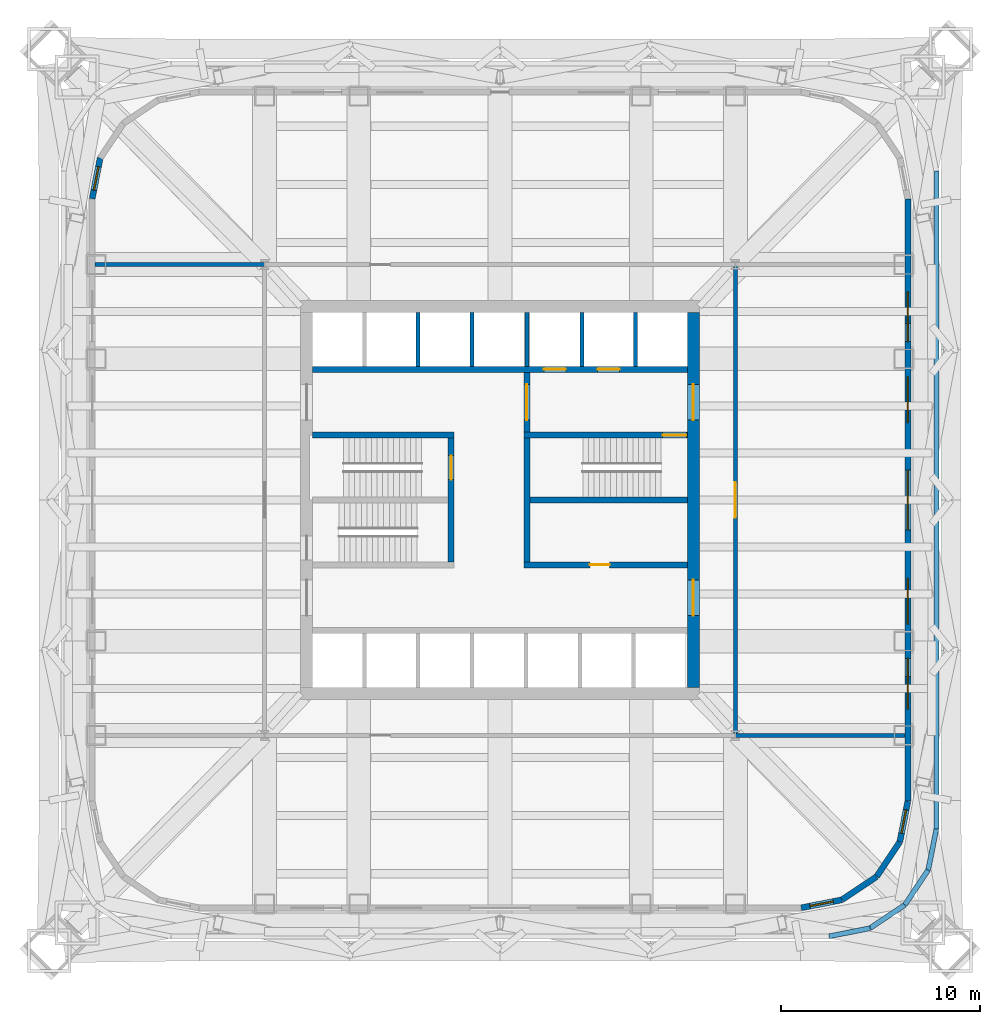
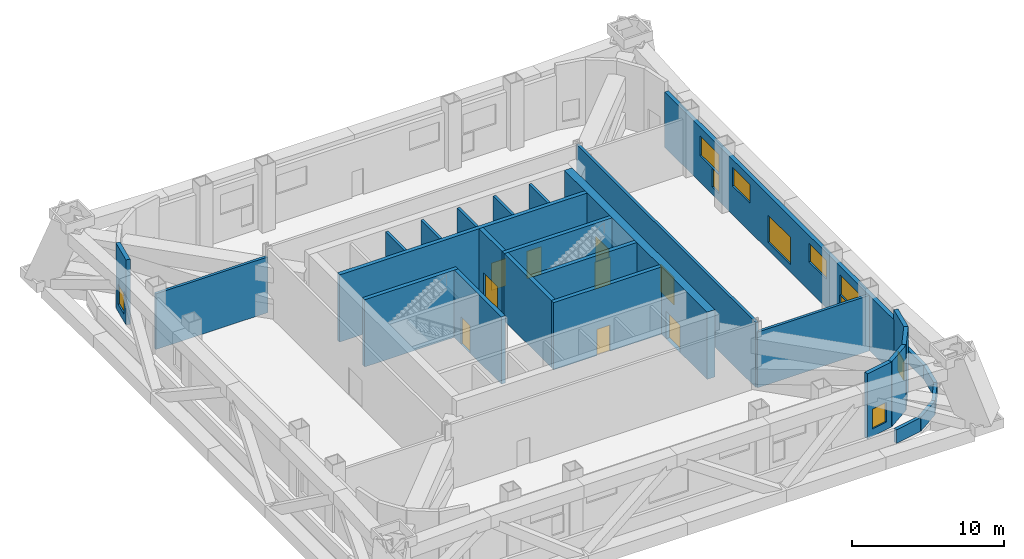
# One storey, part 6 of 9: 27 walls, 10 windows, 9 doors, 19 openings.
"""IFC4 building model written with IfcOpenShell, lengths in metres."""

from ifc_helpers import new_model, si_unit, direction, frame, frame_2d, origin, place, context, subcontext, project, spatial, rectangle, extrude, material, layer, layer_set, type_object, element, fill, save


model = new_model("IFC4")

# Units and contexts
model_context = context("Model", 3, precision=1e-05, world=origin(), true_north=direction((0.0, 1.0)))
body_context = subcontext(model_context, "Body", "Model", "MODEL_VIEW")
ifc_project = project(units=[si_unit("LENGTHUNIT", "METRE"), si_unit("AREAUNIT", "SQUARE_METRE"), si_unit("VOLUMEUNIT", "CUBIC_METRE"), si_unit("PLANEANGLEUNIT", "RADIAN"), si_unit("MASSUNIT", "GRAM", prefix="KILO")], contexts=[model_context])

# Site, building, storey
site_placement = place(None, origin())
site = spatial("IfcSite", under=ifc_project, at=site_placement, CompositionType="ELEMENT")
building_placement = place(site_placement, origin())
building = spatial("IfcBuilding", under=site, at=building_placement, Name="Turquesa Mirador Hotel Tower", CompositionType="ELEMENT")
storey_placement = place(building_placement, frame((0.0, 0.0, 88.0)))
storey = spatial("IfcBuildingStorey", under=building, at=storey_placement, Name="L23", CompositionType="ELEMENT", Elevation=88.0)

# Wall, openings, doors
ifc_material_1 = material(Name="Concrete C50/60", Category="concrete")
ifc_layer_1 = layer(ifc_material_1, 0.300048828125)
ifc_layer_set_1 = layer_set([ifc_layer_1], Name="CORE INNER WALL 300")
wall_type_1 = type_object("IfcWallType", Name="CORE INNER WALL 300", PredefinedType="SHEAR", material=ifc_layer_set_1)
wall_1_placement = place(storey_placement, frame((45.60009765625, 51.550048828125, 0.0), z_axis=(0.0, 0.0, 1.0), x_axis=(1.0, 0.0, 0.0)))
wall_1 = element("IfcWall", 1, at=wall_1_placement, inside=storey, type_object=wall_type_1, Name="Core wall NL", PredefinedType="SHEAR", context=body_context, shape_type="SweptSolid", body=[
    extrude(rectangle(XDim=18.7998046875, YDim=0.300048828125, at=frame_2d((9.39990234375, 0.0))), origin(), (0.0, 0.0, 1.0), 5.39990234375),
])
opening_1_placement = place(wall_1_placement, frame((11.60009765625, 0.0, 0.0)))
opening_1 = element("IfcOpeningElement", 2, at=opening_1_placement, cuts=wall_1, Name="Opening LD", PredefinedType="OPENING", context=body_context, shape_type="SweptSolid", body=[
    extrude(rectangle(XDim=1.10009765625, YDim=2.199951171875, at=frame_2d((0.550048828125, 1.10009765625))), frame((0.0, 0.159912109375, 0.0), z_axis=(0.0, -1.0, 0.0), x_axis=(1.0, 0.0, 0.0)), (0.0, 0.0, 1.0), 0.320068359375),
])
opening_2_placement = place(wall_1_placement, frame((14.300048828125, 0.0, 0.0)))
opening_2 = element("IfcOpeningElement", 3, at=opening_2_placement, cuts=wall_1, Name="Opening LD", PredefinedType="OPENING", context=body_context, shape_type="SweptSolid", body=[
    extrude(rectangle(XDim=1.10009765625, YDim=2.199951171875, at=frame_2d((0.550048828125, 1.10009765625))), frame((0.0, 0.159912109375, 0.0), z_axis=(0.0, -1.0, 0.0), x_axis=(1.0, 0.0, 0.0)), (0.0, 0.0, 1.0), 0.320068359375),
])
ifc_material_2 = material(Name="Stainless steel lift landing door", Category="steel")
door_type_1 = type_object("IfcDoorType", Name="LIFT LANDING DOOR 1100X2200", OperationType="SLIDING_TO_LEFT", PredefinedType="DOOR", material=ifc_material_2)
door_1_placement = place(opening_1_placement, origin())
door_1 = element("IfcDoor", 4, at=door_1_placement, inside=storey, type_object=door_type_1, Name="Lift S1 landing door", OperationType="SLIDING_TO_LEFT", OverallHeight=2.199951171875, OverallWidth=1.10009765625, PredefinedType="DOOR", context=body_context, shape_type="SweptSolid", body=[
    extrude(rectangle(XDim=1.10009765625, YDim=2.199951171875, at=frame_2d((0.550048828125, 1.10009765625))), frame((0.0, 0.02490234375, 0.0), z_axis=(0.0, -1.0, 0.0), x_axis=(1.0, 0.0, 0.0)), (0.0, 0.0, 1.0), 0.050048828125),
])
fill(opening_1, door_1)
door_2_placement = place(opening_2_placement, origin())
door_2 = element("IfcDoor", 5, at=door_2_placement, inside=storey, type_object=door_type_1, Name="Lift S2 landing door", OperationType="SLIDING_TO_LEFT", OverallHeight=2.199951171875, OverallWidth=1.10009765625, PredefinedType="DOOR", context=body_context, shape_type="SweptSolid", body=[
    extrude(rectangle(XDim=1.10009765625, YDim=2.199951171875, at=frame_2d((0.550048828125, 1.10009765625))), frame((0.0, 0.02490234375, 0.0), z_axis=(0.0, -1.0, 0.0), x_axis=(1.0, 0.0, 0.0)), (0.0, 0.0, 1.0), 0.050048828125),
])
fill(opening_2, door_2)

# Wall
wall_2_placement = place(storey_placement, frame((45.60009765625, 48.25, 0.0), z_axis=(0.0, 0.0, 1.0), x_axis=(1.0, 0.0, 0.0)))
element("IfcWall", 6, at=wall_2_placement, inside=storey, type_object=wall_type_1, Name="Core wall MN-W", PredefinedType="SHEAR", context=body_context, shape_type="SweptSolid", body=[
    extrude(rectangle(XDim=7.099853515625, YDim=0.300048828125, at=frame_2d((3.5498046875, 0.0))), origin(), (0.0, 0.0, 1.0), 5.39990234375),
])

# Wall, opening, door
wall_3_placement = place(storey_placement, frame((56.199951171875, 48.25, 0.0), z_axis=(0.0, 0.0, 1.0), x_axis=(1.0, 0.0, 0.0)))
wall_3 = element("IfcWall", 7, at=wall_3_placement, inside=storey, type_object=wall_type_1, Name="Core wall MN-E", PredefinedType="SHEAR", context=body_context, shape_type="SweptSolid", body=[
    extrude(rectangle(XDim=8.199951171875, YDim=0.300048828125, at=frame_2d((4.10009765625, 0.0))), origin(), (0.0, 0.0, 1.0), 5.39990234375),
])
opening_3_placement = place(wall_3_placement, frame((6.949951171875, 0.0, 0.0)))
opening_3 = element("IfcOpeningElement", 8, at=opening_3_placement, cuts=wall_3, Name="Opening D03", PredefinedType="OPENING", context=body_context, shape_type="SweptSolid", body=[
    extrude(rectangle(XDim=1.199951171875, YDim=2.199951171875, at=frame_2d((0.60009765625, 1.10009765625))), frame((0.0, 0.159912109375, 0.0), z_axis=(0.0, -1.0, 0.0), x_axis=(1.0, 0.0, 0.0)), (0.0, 0.0, 1.0), 0.320068359375),
])
ifc_material_3 = material(Name="Steel fire door", Category="steel")
door_type_2 = type_object("IfcDoorType", Name="DOOR 1200X2200 STAIR", OperationType="SINGLE_SWING_LEFT", PredefinedType="DOOR", material=ifc_material_3)
door_3_placement = place(opening_3_placement, origin())
door_3 = element("IfcDoor", 9, at=door_3_placement, inside=storey, type_object=door_type_2, Name="Stair ST3 door", OperationType="SINGLE_SWING_LEFT", OverallHeight=2.199951171875, OverallWidth=1.199951171875, PredefinedType="DOOR", context=body_context, shape_type="SweptSolid", body=[
    extrude(rectangle(XDim=1.199951171875, YDim=2.199951171875, at=frame_2d((0.60009765625, 1.10009765625))), frame((0.0, 0.02490234375, 0.0), z_axis=(0.0, -1.0, 0.0), x_axis=(1.0, 0.0, 0.0)), (0.0, 0.0, 1.0), 0.050048828125),
])
fill(opening_3, door_3)

wall_4_placement = place(storey_placement, frame((56.199951171875, 41.75, 0.0), z_axis=(0.0, 0.0, 1.0), x_axis=(1.0, 0.0, 0.0)))
wall_4 = element("IfcWall", 10, at=wall_4_placement, inside=storey, type_object=wall_type_1, Name="Core wall MS-E", PredefinedType="SHEAR", context=body_context, shape_type="SweptSolid", body=[
    extrude(rectangle(XDim=8.199951171875, YDim=0.300048828125, at=frame_2d((4.10009765625, 0.0))), origin(), (0.0, 0.0, 1.0), 5.39990234375),
])
opening_4_placement = place(wall_4_placement, frame((3.300048828125, 0.0, 0.0)))
opening_4 = element("IfcOpeningElement", 11, at=opening_4_placement, cuts=wall_4, Name="Opening D05", PredefinedType="OPENING", context=body_context, shape_type="SweptSolid", body=[
    extrude(rectangle(XDim=1.0, YDim=2.10009765625, at=frame_2d((0.5, 1.050048828125))), frame((0.0, 0.159912109375, 0.0), z_axis=(0.0, -1.0, 0.0), x_axis=(1.0, 0.0, 0.0)), (0.0, 0.0, 1.0), 0.320068359375),
])
ifc_material_4 = material(Name="Steel fire door", Category="steel")
door_type_3 = type_object("IfcDoorType", Name="DOOR 1000X2100 SERVICE", OperationType="SINGLE_SWING_LEFT", PredefinedType="DOOR", material=ifc_material_4)
door_4_placement = place(opening_4_placement, origin())
door_4 = element("IfcDoor", 12, at=door_4_placement, inside=storey, type_object=door_type_3, Name="Housekeeping room door", OperationType="SINGLE_SWING_LEFT", OverallHeight=2.10009765625, OverallWidth=1.0, PredefinedType="DOOR", context=body_context, shape_type="SweptSolid", body=[
    extrude(rectangle(XDim=1.0, YDim=2.10009765625, at=frame_2d((0.5, 1.050048828125))), frame((0.0, 0.02490234375, 0.0), z_axis=(0.0, -1.0, 0.0), x_axis=(1.0, 0.0, 0.0)), (0.0, 0.0, 1.0), 0.050048828125),
])
fill(opening_4, door_4)

wall_5_placement = place(storey_placement, frame((52.550048828125, 41.89990234375, 0.0), z_axis=(0.0, 0.0, 1.0), x_axis=(0.0, 1.0, 0.0)))
wall_5 = element("IfcWall", 13, at=wall_5_placement, inside=storey, type_object=wall_type_1, Name="Core wall PW", PredefinedType="SHEAR", context=body_context, shape_type="SweptSolid", body=[
    extrude(rectangle(XDim=6.2001953125, YDim=0.300048828125, at=frame_2d((3.10009765625, 0.0))), origin(), (0.0, 0.0, 1.0), 5.39990234375),
])
opening_5_placement = place(wall_5_placement, frame((4.125, 0.0, 0.0)))
opening_5 = element("IfcOpeningElement", 14, at=opening_5_placement, cuts=wall_5, Name="Opening D03", PredefinedType="OPENING", context=body_context, shape_type="SweptSolid", body=[
    extrude(rectangle(XDim=1.199951171875, YDim=2.199951171875, at=frame_2d((0.60009765625, 1.10009765625))), frame((0.0, 0.159912109375, 0.0), z_axis=(0.0, -1.0, 0.0), x_axis=(1.0, 0.0, 0.0)), (0.0, 0.0, 1.0), 0.320068359375),
])
door_5_placement = place(opening_5_placement, origin())
door_5 = element("IfcDoor", 15, at=door_5_placement, inside=storey, type_object=door_type_2, Name="Stair ST1 door", OperationType="SINGLE_SWING_LEFT", OverallHeight=2.199951171875, OverallWidth=1.199951171875, PredefinedType="DOOR", context=body_context, shape_type="SweptSolid", body=[
    extrude(rectangle(XDim=1.199951171875, YDim=2.199951171875, at=frame_2d((0.60009765625, 1.10009765625))), frame((0.0, 0.02490234375, 0.0), z_axis=(0.0, -1.0, 0.0), x_axis=(1.0, 0.0, 0.0)), (0.0, 0.0, 1.0), 0.050048828125),
])
fill(opening_5, door_5)

wall_6_placement = place(storey_placement, frame((56.35009765625, 41.89990234375, 0.0), z_axis=(0.0, 0.0, 1.0), x_axis=(0.0, 1.0, 0.0)))
wall_6 = element("IfcWall", 16, at=wall_6_placement, inside=storey, type_object=wall_type_1, Name="Core wall PE", PredefinedType="SHEAR", context=body_context, shape_type="SweptSolid", body=[
    extrude(rectangle(XDim=9.5, YDim=0.300048828125, at=frame_2d((4.75, 0.0))), origin(), (0.0, 0.0, 1.0), 5.39990234375),
])
opening_6_placement = place(wall_6_placement, frame((7.10009765625, 0.0, 0.0)))
opening_6 = element("IfcOpeningElement", 17, at=opening_6_placement, cuts=wall_6, Name="Opening D04", PredefinedType="OPENING", context=body_context, shape_type="SweptSolid", body=[
    extrude(rectangle(XDim=1.800048828125, YDim=2.199951171875, at=frame_2d((0.89990234375, 1.10009765625))), frame((0.0, 0.159912109375, 0.0), z_axis=(0.0, -1.0, 0.0), x_axis=(1.0, 0.0, 0.0)), (0.0, 0.0, 1.0), 0.320068359375),
])
ifc_material_5 = material(Name="Steel fire door pair", Category="steel")
door_type_4 = type_object("IfcDoorType", Name="DOOR 1800X2200 PAIR", OperationType="DOUBLE_DOOR_SINGLE_SWING", PredefinedType="DOOR", material=ifc_material_5)
door_6_placement = place(opening_6_placement, origin())
door_6 = element("IfcDoor", 18, at=door_6_placement, inside=storey, type_object=door_type_4, Name="Firefighting lobby inner door", OperationType="DOUBLE_DOOR_SINGLE_SWING", OverallHeight=2.199951171875, OverallWidth=1.800048828125, PredefinedType="DOOR", context=body_context, shape_type="SweptSolid", body=[
    extrude(rectangle(XDim=1.800048828125, YDim=2.199951171875, at=frame_2d((0.89990234375, 1.10009765625))), frame((0.0, 0.02490234375, 0.0), z_axis=(0.0, -1.0, 0.0), x_axis=(1.0, 0.0, 0.0)), (0.0, 0.0, 1.0), 0.050048828125),
])
fill(opening_6, door_6)

# Wall
wall_7_placement = place(storey_placement, frame((56.5, 45.0, 0.0), z_axis=(0.0, 0.0, 1.0), x_axis=(1.0, 0.0, 0.0)))
element("IfcWall", 19, at=wall_7_placement, inside=storey, type_object=wall_type_1, Name="Core wall M0-E", PredefinedType="SHEAR", context=body_context, shape_type="SweptSolid", body=[
    extrude(rectangle(XDim=7.89990234375, YDim=0.300048828125, at=frame_2d((3.949951171875, 0.0))), origin(), (0.0, 0.0, 1.0), 5.39990234375),
])

# Wall, openings, doors
ifc_material_6 = material(Name="Concrete C50/60", Category="concrete")
ifc_layer_2 = layer(ifc_material_6, 0.60009765625)
ifc_layer_set_2 = layer_set([ifc_layer_2], Name="CORE WALL 600")
wall_type_2 = type_object("IfcWallType", Name="CORE WALL 600", PredefinedType="SHEAR", material=ifc_layer_set_2)
wall_8_placement = place(storey_placement, frame((64.699951171875, 35.60009765625, 0.0), z_axis=(0.0, 0.0, 1.0), x_axis=(0.0, 1.0, 0.0)))
wall_8 = element("IfcWall", 20, at=wall_8_placement, inside=storey, type_object=wall_type_2, Name="Core wall E", PredefinedType="SHEAR", context=body_context, shape_type="SweptSolid", body=[
    extrude(rectangle(XDim=18.7998046875, YDim=0.60009765625, at=frame_2d((9.39990234375, 0.0))), origin(), (0.0, 0.0, 1.0), 5.39990234375),
])
opening_7_placement = place(wall_8_placement, frame((13.39990234375, 0.0, 0.0)))
opening_7 = element("IfcOpeningElement", 21, at=opening_7_placement, cuts=wall_8, Name="Opening D04", PredefinedType="OPENING", context=body_context, shape_type="SweptSolid", body=[
    extrude(rectangle(XDim=1.800048828125, YDim=2.199951171875, at=frame_2d((0.89990234375, 1.10009765625))), frame((0.0, 0.31005859375, 0.0), z_axis=(0.0, -1.0, 0.0), x_axis=(1.0, 0.0, 0.0)), (0.0, 0.0, 1.0), 0.6201171875),
])
opening_8_placement = place(wall_8_placement, frame((3.60009765625, 0.0, 0.0)))
opening_8 = element("IfcOpeningElement", 22, at=opening_8_placement, cuts=wall_8, Name="Opening D04", PredefinedType="OPENING", context=body_context, shape_type="SweptSolid", body=[
    extrude(rectangle(XDim=1.800048828125, YDim=2.199951171875, at=frame_2d((0.89990234375, 1.10009765625))), frame((0.0, 0.31005859375, 0.0), z_axis=(0.0, -1.0, 0.0), x_axis=(1.0, 0.0, 0.0)), (0.0, 0.0, 1.0), 0.6201171875),
])
door_7_placement = place(opening_7_placement, origin())
door_7 = element("IfcDoor", 23, at=door_7_placement, inside=storey, type_object=door_type_4, Name="Firefighting lobby door", OperationType="DOUBLE_DOOR_SINGLE_SWING", OverallHeight=2.199951171875, OverallWidth=1.800048828125, PredefinedType="DOOR", context=body_context, shape_type="SweptSolid", body=[
    extrude(rectangle(XDim=1.800048828125, YDim=2.199951171875, at=frame_2d((0.89990234375, 1.10009765625))), frame((0.0, 0.02490234375, 0.0), z_axis=(0.0, -1.0, 0.0), x_axis=(1.0, 0.0, 0.0)), (0.0, 0.0, 1.0), 0.050048828125),
])
fill(opening_7, door_7)
door_8_placement = place(opening_8_placement, origin())
door_8 = element("IfcDoor", 24, at=door_8_placement, inside=storey, type_object=door_type_4, Name="South lift lobby door", OperationType="DOUBLE_DOOR_SINGLE_SWING", OverallHeight=2.199951171875, OverallWidth=1.800048828125, PredefinedType="DOOR", context=body_context, shape_type="SweptSolid", body=[
    extrude(rectangle(XDim=1.800048828125, YDim=2.199951171875, at=frame_2d((0.89990234375, 1.10009765625))), frame((0.0, 0.02490234375, 0.0), z_axis=(0.0, -1.0, 0.0), x_axis=(1.0, 0.0, 0.0)), (0.0, 0.0, 1.0), 0.050048828125),
])
fill(opening_8, door_8)

# Wall, opening, door
ifc_material_7 = material(Name="Fire-rated gypsum board on steel studs", Category="steel")
ifc_layer_3 = layer(ifc_material_7, 0.199951171875)
ifc_layer_set_3 = layer_set([ifc_layer_3], Name="CORRIDOR WALL 200")
wall_type_3 = type_object("IfcWallType", Name="CORRIDOR WALL 200", PredefinedType="PARTITIONING", material=ifc_layer_set_3)
wall_9_placement = place(storey_placement, frame((66.800048828125, 33.199951171875, 0.0), z_axis=(0.0, 0.0, 1.0), x_axis=(0.0, 1.0, 0.0)))
wall_9 = element("IfcWall", 25, at=wall_9_placement, inside=storey, type_object=wall_type_3, Name="Partition L23 008", PredefinedType="PARTITIONING", context=body_context, shape_type="SweptSolid", body=[
    extrude(rectangle(XDim=23.60009765625, YDim=0.199951171875, at=frame_2d((11.800048828125, 0.0))), origin(), (0.0, 0.0, 1.0), 5.22998046875),
])
opening_9_placement = place(wall_9_placement, frame((10.89990234375, 0.0, 0.0)))
opening_9 = element("IfcOpeningElement", 26, at=opening_9_placement, cuts=wall_9, Name="Opening D04", PredefinedType="OPENING", context=body_context, shape_type="SweptSolid", body=[
    extrude(rectangle(XDim=1.800048828125, YDim=2.199951171875, at=frame_2d((0.89990234375, 1.10009765625))), frame((0.0, 0.10986328125, 0.0), z_axis=(0.0, -1.0, 0.0), x_axis=(1.0, 0.0, 0.0)), (0.0, 0.0, 1.0), 0.219970703125),
])
door_9_placement = place(opening_9_placement, origin())
door_9 = element("IfcDoor", 27, at=door_9_placement, inside=storey, type_object=door_type_4, Name="Door L23-03", OperationType="DOUBLE_DOOR_SINGLE_SWING", OverallHeight=2.199951171875, OverallWidth=1.800048828125, PredefinedType="DOOR", context=body_context, shape_type="SweptSolid", body=[
    extrude(rectangle(XDim=1.800048828125, YDim=2.199951171875, at=frame_2d((0.89990234375, 1.10009765625))), frame((0.0, 0.02490234375, 0.0), z_axis=(0.0, -1.0, 0.0), x_axis=(1.0, 0.0, 0.0)), (0.0, 0.0, 1.0), 0.050048828125),
])
fill(opening_9, door_9)

# Walls
ifc_material_8 = material(Name="Fire-rated gypsum board on steel studs", Category="steel")
ifc_layer_4 = layer(ifc_material_8, 0.199951171875)
ifc_layer_set_4 = layer_set([ifc_layer_4], Name="FIRE PARTITION 200")
wall_type_4 = type_object("IfcWallType", Name="FIRE PARTITION 200", PredefinedType="PARTITIONING", material=ifc_layer_set_4)
for number, where, z_axis, x_axis, name in (
    (28, (66.800048828125, 33.199951171875, 0.0), (0.0, 0.0, 1.0), (1.0, 0.0, 0.0), "Partition L23 003"),
    (29, (34.699951171875, 56.800048828125, 0.0), (0.0, 0.0, 1.0), (1.0, 0.0, 0.0), "Partition L23 005"),
):
    element("IfcWall", number, at=place(storey_placement, frame(where, z_axis=z_axis, x_axis=x_axis)), inside=storey, type_object=wall_type_4, Name=name, PredefinedType="PARTITIONING", context=body_context, shape_type="SweptSolid", body=[
        extrude(rectangle(XDim=8.5, YDim=0.199951171875, at=frame_2d((4.25, 0.0))), origin(), (0.0, 0.0, 1.0), 4.47314453125),
    ])
ifc_material_9 = material(Name="Fire-rated gypsum shaft wall on steel studs", Category="steel")
ifc_layer_5 = layer(ifc_material_9, 0.199951171875)
ifc_layer_set_5 = layer_set([ifc_layer_5], Name="LIFT SHAFT DIVIDER 200")
wall_type_5 = type_object("IfcWallType", Name="LIFT SHAFT DIVIDER 200", PredefinedType="PARTITIONING", material=ifc_layer_set_5)
for number, where, z_axis, x_axis, name in (
    (30, (50.89990234375, 51.699951171875, 0.0), (0.0, 0.0, 1.0), (0.0, 1.0, 0.0), "Lift shaft divider"),
    (31, (53.60009765625, 51.699951171875, 0.0), (0.0, 0.0, 1.0), (0.0, 1.0, 0.0), "Lift shaft divider"),
    (32, (59.10009765625, 51.699951171875, 0.0), (0.0, 0.0, 1.0), (0.0, 1.0, 0.0), "Lift shaft divider"),
    (33, (61.800048828125, 51.699951171875, 0.0), (0.0, 0.0, 1.0), (0.0, 1.0, 0.0), "Lift shaft divider"),
    (34, (56.35009765625, 51.699951171875, 0.0), (0.0, 0.0, 1.0), (0.0, 1.0, 0.0), "Lift shaft divider"),
):
    element("IfcWall", number, at=place(storey_placement, frame(where, z_axis=z_axis, x_axis=x_axis)), inside=storey, type_object=wall_type_5, Name=name, PredefinedType="PARTITIONING", context=body_context, shape_type="SweptSolid", body=[
        extrude(rectangle(XDim=2.699951171875, YDim=0.199951171875, at=frame_2d((1.35009765625, 0.0))), origin(), (0.0, 0.0, 1.0), 5.22998046875),
    ])

# Wall, opening, window
ifc_material_10 = material(Name="Limestone cladding on concrete block", Category="masonry")
ifc_layer_6 = layer(ifc_material_10, 0.300048828125)
ifc_layer_set_6 = layer_set([ifc_layer_6], Name="LOUVRE WALL 300 STONE")
wall_type_6 = type_object("IfcWallType", Name="LOUVRE WALL 300 STONE", PredefinedType="SOLIDWALL", material=ifc_layer_set_6)
wall_10_placement = place(storey_placement, frame((70.10009765625, 24.550048828125, 0.0), z_axis=(0.0, 0.0, 1.0), x_axis=(0.980787050784, 0.195081421501, 0.0)))
wall_10 = element("IfcWall", 35, at=wall_10_placement, inside=storey, type_object=wall_type_6, Name="Facade wall L23 00", PredefinedType="SOLIDWALL", context=body_context, shape_type="SweptSolid", body=[
    extrude(rectangle(XDim=2.08740234375, YDim=0.300048828125, at=frame_2d((1.043701171875, 0.0))), origin(), (0.0, 0.0, 1.0), 5.22998046875),
])
opening_10_placement = place(wall_10_placement, frame((0.443603515625, 0.0, 0.60009765625)))
opening_10 = element("IfcOpeningElement", 36, at=opening_10_placement, cuts=wall_10, Name="Opening LV7", PredefinedType="OPENING", context=body_context, shape_type="SweptSolid", body=[
    extrude(rectangle(XDim=1.199951171875, YDim=1.60009765625, at=frame_2d((0.60009765625, 0.800048828125))), frame((0.0, 0.159912109375, 0.0), z_axis=(0.0, -1.0, 0.0), x_axis=(1.0, 0.0, 0.0)), (0.0, 0.0, 1.0), 0.320068359375),
])
ifc_material_11 = material(Name="Aluminium extrusion", Category="aluminium")
window_type_1 = type_object("IfcWindowType", Name="PLANT LOUVRE 1200X1600", PartitioningType="SINGLE_PANEL", PredefinedType="USERDEFINED", material=ifc_material_11)
window_1_placement = place(opening_10_placement, origin())
window_1 = element("IfcWindow", 37, at=window_1_placement, inside=storey, type_object=window_type_1, Name="Window L23", ObjectType="LOUVRE", OverallHeight=1.60009765625, OverallWidth=1.199951171875, PartitioningType="SINGLE_PANEL", PredefinedType="USERDEFINED", context=body_context, shape_type="SweptSolid", body=[
    extrude(rectangle(XDim=1.199951171875, YDim=1.60009765625, at=frame_2d((0.60009765625, 0.800048828125))), frame((0.0, 0.030029296875, 0.0), z_axis=(0.0, -1.0, 0.0), x_axis=(1.0, 0.0, 0.0)), (0.0, 0.0, 1.0), 0.06005859375),
])
fill(opening_10, window_1)

# Walls
for number, where, z_axis, x_axis, name in (
    (38, (72.1474609375, 24.957275390625, 0.0), (0.0, 0.0, 1.0), (0.831474039234, 0.555563607591, 0.0), "Facade wall L23 01"),
    (39, (73.883056640625, 26.116943359375, 0.0), (0.0, 0.0, 1.0), (0.555563607591, 0.831474039234, 0.0), "Facade wall L23 02"),
):
    element("IfcWall", number, at=place(storey_placement, frame(where, z_axis=z_axis, x_axis=x_axis)), inside=storey, type_object=wall_type_6, Name=name, PredefinedType="SOLIDWALL", context=body_context, shape_type="SweptSolid", body=[
        extrude(rectangle(XDim=2.08740234375, YDim=0.300048828125, at=frame_2d((1.043701171875, 0.0))), origin(), (0.0, 0.0, 1.0), 5.22998046875),
    ])

# Wall, opening, window
wall_11_placement = place(storey_placement, frame((75.042724609375, 27.8525390625, 0.0), z_axis=(0.0, 0.0, 1.0), x_axis=(0.195081421501, 0.980787050784, 0.0)))
wall_11 = element("IfcWall", 40, at=wall_11_placement, inside=storey, type_object=wall_type_6, Name="Facade wall L23 03", PredefinedType="SOLIDWALL", context=body_context, shape_type="SweptSolid", body=[
    extrude(rectangle(XDim=2.08740234375, YDim=0.300048828125, at=frame_2d((1.043701171875, 0.0))), origin(), (0.0, 0.0, 1.0), 5.22998046875),
])
opening_11_placement = place(wall_11_placement, frame((0.443603515625, 0.0, 0.60009765625)))
opening_11 = element("IfcOpeningElement", 41, at=opening_11_placement, cuts=wall_11, Name="Opening LV7", PredefinedType="OPENING", context=body_context, shape_type="SweptSolid", body=[
    extrude(rectangle(XDim=1.199951171875, YDim=1.60009765625, at=frame_2d((0.60009765625, 0.800048828125))), frame((0.0, 0.159912109375, 0.0), z_axis=(0.0, -1.0, 0.0), x_axis=(1.0, 0.0, 0.0)), (0.0, 0.0, 1.0), 0.320068359375),
])
window_2_placement = place(opening_11_placement, origin())
window_2 = element("IfcWindow", 42, at=window_2_placement, inside=storey, type_object=window_type_1, Name="Window L23", ObjectType="LOUVRE", OverallHeight=1.60009765625, OverallWidth=1.199951171875, PartitioningType="SINGLE_PANEL", PredefinedType="USERDEFINED", context=body_context, shape_type="SweptSolid", body=[
    extrude(rectangle(XDim=1.199951171875, YDim=1.60009765625, at=frame_2d((0.60009765625, 0.800048828125))), frame((0.0, 0.030029296875, 0.0), z_axis=(0.0, -1.0, 0.0), x_axis=(1.0, 0.0, 0.0)), (0.0, 0.0, 1.0), 0.06005859375),
])
fill(opening_11, window_2)

# Wall, openings, windows
wall_12_placement = place(storey_placement, frame((75.449951171875, 29.89990234375, 0.0), z_axis=(0.0, 0.0, 1.0), x_axis=(0.0, 1.0, 0.0)))
wall_12 = element("IfcWall", 43, at=wall_12_placement, inside=storey, type_object=wall_type_6, Name="Facade wall L23 04", PredefinedType="SOLIDWALL", context=body_context, shape_type="SweptSolid", body=[
    extrude(rectangle(XDim=30.2001953125, YDim=0.300048828125, at=frame_2d((15.10009765625, 0.0))), origin(), (0.0, 0.0, 1.0), 4.429931640625),
])
opening_12_placement = place(wall_12_placement, frame((4.610107421875, 0.0, 2.14990234375)))
opening_12 = element("IfcOpeningElement", 44, at=opening_12_placement, cuts=wall_12, Name="Opening LV15", PredefinedType="OPENING", context=body_context, shape_type="SweptSolid", body=[
    extrude(rectangle(XDim=2.5, YDim=1.60009765625, at=frame_2d((1.25, 0.800048828125))), frame((0.0, 0.159912109375, 0.0), z_axis=(0.0, -1.0, 0.0), x_axis=(1.0, 0.0, 0.0)), (0.0, 0.0, 1.0), 0.320068359375),
])
opening_13_placement = place(wall_12_placement, frame((8.8798828125, 0.0, 2.300048828125)))
opening_13 = element("IfcOpeningElement", 45, at=opening_13_placement, cuts=wall_12, Name="Opening LV12", PredefinedType="OPENING", context=body_context, shape_type="SweptSolid", body=[
    extrude(rectangle(XDim=2.300048828125, YDim=1.5, at=frame_2d((1.14990234375, 0.75))), frame((0.0, 0.159912109375, 0.0), z_axis=(0.0, -1.0, 0.0), x_axis=(1.0, 0.0, 0.0)), (0.0, 0.0, 1.0), 0.320068359375),
])
opening_14_placement = place(wall_12_placement, frame((13.60009765625, 0.0, 0.60009765625)))
opening_14 = element("IfcOpeningElement", 46, at=opening_14_placement, cuts=wall_12, Name="Opening LV18", PredefinedType="OPENING", context=body_context, shape_type="SweptSolid", body=[
    extrude(rectangle(XDim=3.0, YDim=2.199951171875, at=frame_2d((1.5, 1.10009765625))), frame((0.0, 0.159912109375, 0.0), z_axis=(0.0, -1.0, 0.0), x_axis=(1.0, 0.0, 0.0)), (0.0, 0.0, 1.0), 0.320068359375),
])
opening_15_placement = place(wall_12_placement, frame((18.969970703125, 0.0, 2.300048828125)))
opening_15 = element("IfcOpeningElement", 47, at=opening_15_placement, cuts=wall_12, Name="Opening LV12", PredefinedType="OPENING", context=body_context, shape_type="SweptSolid", body=[
    extrude(rectangle(XDim=2.300048828125, YDim=1.5, at=frame_2d((1.14990234375, 0.75))), frame((0.0, 0.159912109375, 0.0), z_axis=(0.0, -1.0, 0.0), x_axis=(1.0, 0.0, 0.0)), (0.0, 0.0, 1.0), 0.320068359375),
])
opening_16_placement = place(wall_12_placement, frame((23.0400390625, 0.0, 2.14990234375)))
opening_16 = element("IfcOpeningElement", 48, at=opening_16_placement, cuts=wall_12, Name="Opening LV15", PredefinedType="OPENING", context=body_context, shape_type="SweptSolid", body=[
    extrude(rectangle(XDim=2.5, YDim=1.60009765625, at=frame_2d((1.25, 0.800048828125))), frame((0.0, 0.159912109375, 0.0), z_axis=(0.0, -1.0, 0.0), x_axis=(1.0, 0.0, 0.0)), (0.0, 0.0, 1.0), 0.320068359375),
])
opening_17_placement = place(wall_12_placement, frame((6.260009765625, 0.0, 0.60009765625)))
opening_17 = element("IfcOpeningElement", 49, at=opening_17_placement, cuts=wall_12, Name="Opening LV3", PredefinedType="OPENING", context=body_context, shape_type="SweptSolid", body=[
    extrude(rectangle(XDim=0.89990234375, YDim=1.5, at=frame_2d((0.449951171875, 0.75))), frame((0.0, 0.159912109375, 0.0), z_axis=(0.0, -1.0, 0.0), x_axis=(1.0, 0.0, 0.0)), (0.0, 0.0, 1.0), 0.320068359375),
])
opening_18_placement = place(wall_12_placement, frame((23.0400390625, 0.0, 0.60009765625)))
opening_18 = element("IfcOpeningElement", 50, at=opening_18_placement, cuts=wall_12, Name="Opening LV3", PredefinedType="OPENING", context=body_context, shape_type="SweptSolid", body=[
    extrude(rectangle(XDim=0.89990234375, YDim=1.5, at=frame_2d((0.449951171875, 0.75))), frame((0.0, 0.159912109375, 0.0), z_axis=(0.0, -1.0, 0.0), x_axis=(1.0, 0.0, 0.0)), (0.0, 0.0, 1.0), 0.320068359375),
])
ifc_material_12 = material(Name="Aluminium extrusion", Category="aluminium")
window_type_2 = type_object("IfcWindowType", Name="PLANT LOUVRE 2300X1500", PartitioningType="SINGLE_PANEL", PredefinedType="USERDEFINED", material=ifc_material_12)
window_3_placement = place(opening_13_placement, origin())
window_3 = element("IfcWindow", 51, at=window_3_placement, inside=storey, type_object=window_type_2, Name="Window L23", ObjectType="LOUVRE", OverallHeight=1.5, OverallWidth=2.300048828125, PartitioningType="SINGLE_PANEL", PredefinedType="USERDEFINED", context=body_context, shape_type="SweptSolid", body=[
    extrude(rectangle(XDim=2.300048828125, YDim=1.5, at=frame_2d((1.14990234375, 0.75))), frame((0.0, 0.030029296875, 0.0), z_axis=(0.0, -1.0, 0.0), x_axis=(1.0, 0.0, 0.0)), (0.0, 0.0, 1.0), 0.06005859375),
])
fill(opening_13, window_3)
window_4_placement = place(opening_15_placement, origin())
window_4 = element("IfcWindow", 52, at=window_4_placement, inside=storey, type_object=window_type_2, Name="Window L23", ObjectType="LOUVRE", OverallHeight=1.5, OverallWidth=2.300048828125, PartitioningType="SINGLE_PANEL", PredefinedType="USERDEFINED", context=body_context, shape_type="SweptSolid", body=[
    extrude(rectangle(XDim=2.300048828125, YDim=1.5, at=frame_2d((1.14990234375, 0.75))), frame((0.0, 0.030029296875, 0.0), z_axis=(0.0, -1.0, 0.0), x_axis=(1.0, 0.0, 0.0)), (0.0, 0.0, 1.0), 0.06005859375),
])
fill(opening_15, window_4)
ifc_material_13 = material(Name="Aluminium extrusion", Category="aluminium")
window_type_3 = type_object("IfcWindowType", Name="PLANT LOUVRE 2500X1600", PartitioningType="SINGLE_PANEL", PredefinedType="USERDEFINED", material=ifc_material_13)
window_5_placement = place(opening_12_placement, origin())
window_5 = element("IfcWindow", 53, at=window_5_placement, inside=storey, type_object=window_type_3, Name="Window L23", ObjectType="LOUVRE", OverallHeight=1.60009765625, OverallWidth=2.5, PartitioningType="SINGLE_PANEL", PredefinedType="USERDEFINED", context=body_context, shape_type="SweptSolid", body=[
    extrude(rectangle(XDim=2.5, YDim=1.60009765625, at=frame_2d((1.25, 0.800048828125))), frame((0.0, 0.030029296875, 0.0), z_axis=(0.0, -1.0, 0.0), x_axis=(1.0, 0.0, 0.0)), (0.0, 0.0, 1.0), 0.06005859375),
])
fill(opening_12, window_5)
window_6_placement = place(opening_16_placement, origin())
window_6 = element("IfcWindow", 54, at=window_6_placement, inside=storey, type_object=window_type_3, Name="Window L23", ObjectType="LOUVRE", OverallHeight=1.60009765625, OverallWidth=2.5, PartitioningType="SINGLE_PANEL", PredefinedType="USERDEFINED", context=body_context, shape_type="SweptSolid", body=[
    extrude(rectangle(XDim=2.5, YDim=1.60009765625, at=frame_2d((1.25, 0.800048828125))), frame((0.0, 0.030029296875, 0.0), z_axis=(0.0, -1.0, 0.0), x_axis=(1.0, 0.0, 0.0)), (0.0, 0.0, 1.0), 0.06005859375),
])
fill(opening_16, window_6)
ifc_material_14 = material(Name="Aluminium extrusion", Category="aluminium")
window_type_4 = type_object("IfcWindowType", Name="PLANT LOUVRE 3000X2200", PartitioningType="SINGLE_PANEL", PredefinedType="USERDEFINED", material=ifc_material_14)
window_7_placement = place(opening_14_placement, origin())
window_7 = element("IfcWindow", 55, at=window_7_placement, inside=storey, type_object=window_type_4, Name="Window L23", ObjectType="LOUVRE", OverallHeight=2.199951171875, OverallWidth=3.0, PartitioningType="SINGLE_PANEL", PredefinedType="USERDEFINED", context=body_context, shape_type="SweptSolid", body=[
    extrude(rectangle(XDim=3.0, YDim=2.199951171875, at=frame_2d((1.5, 1.10009765625))), frame((0.0, 0.030029296875, 0.0), z_axis=(0.0, -1.0, 0.0), x_axis=(1.0, 0.0, 0.0)), (0.0, 0.0, 1.0), 0.06005859375),
])
fill(opening_14, window_7)
ifc_material_15 = material(Name="Aluminium extrusion", Category="aluminium")
window_type_5 = type_object("IfcWindowType", Name="PLANT LOUVRE 900X1500", PartitioningType="SINGLE_PANEL", PredefinedType="USERDEFINED", material=ifc_material_15)
window_8_placement = place(opening_17_placement, origin())
window_8 = element("IfcWindow", 56, at=window_8_placement, inside=storey, type_object=window_type_5, Name="Window L23", ObjectType="LOUVRE", OverallHeight=1.5, OverallWidth=0.89990234375, PartitioningType="SINGLE_PANEL", PredefinedType="USERDEFINED", context=body_context, shape_type="SweptSolid", body=[
    extrude(rectangle(XDim=0.89990234375, YDim=1.5, at=frame_2d((0.449951171875, 0.75))), frame((0.0, 0.030029296875, 0.0), z_axis=(0.0, -1.0, 0.0), x_axis=(1.0, 0.0, 0.0)), (0.0, 0.0, 1.0), 0.06005859375),
])
fill(opening_17, window_8)
window_9_placement = place(opening_18_placement, origin())
window_9 = element("IfcWindow", 57, at=window_9_placement, inside=storey, type_object=window_type_5, Name="Window L23", ObjectType="LOUVRE", OverallHeight=1.5, OverallWidth=0.89990234375, PartitioningType="SINGLE_PANEL", PredefinedType="USERDEFINED", context=body_context, shape_type="SweptSolid", body=[
    extrude(rectangle(XDim=0.89990234375, YDim=1.5, at=frame_2d((0.449951171875, 0.75))), frame((0.0, 0.030029296875, 0.0), z_axis=(0.0, -1.0, 0.0), x_axis=(1.0, 0.0, 0.0)), (0.0, 0.0, 1.0), 0.06005859375),
])
fill(opening_18, window_9)

# Wall, opening, window
wall_13_placement = place(storey_placement, frame((34.957275390625, 62.1474609375, 0.0), z_axis=(0.0, 0.0, 1.0), x_axis=(-0.195081421501, -0.980787050784, 0.0)))
wall_13 = element("IfcWall", 58, at=wall_13_placement, inside=storey, type_object=wall_type_6, Name="Facade wall L23 13", PredefinedType="SOLIDWALL", context=body_context, shape_type="SweptSolid", body=[
    extrude(rectangle(XDim=2.08740234375, YDim=0.300048828125, at=frame_2d((1.043701171875, 0.0))), origin(), (0.0, 0.0, 1.0), 5.22998046875),
])
opening_19_placement = place(wall_13_placement, frame((0.443603515625, 0.0, 0.60009765625)))
opening_19 = element("IfcOpeningElement", 59, at=opening_19_placement, cuts=wall_13, Name="Opening LV7", PredefinedType="OPENING", context=body_context, shape_type="SweptSolid", body=[
    extrude(rectangle(XDim=1.199951171875, YDim=1.60009765625, at=frame_2d((0.60009765625, 0.800048828125))), frame((0.0, 0.159912109375, 0.0), z_axis=(0.0, -1.0, 0.0), x_axis=(1.0, 0.0, 0.0)), (0.0, 0.0, 1.0), 0.320068359375),
])
window_10_placement = place(opening_19_placement, origin())
window_10 = element("IfcWindow", 60, at=window_10_placement, inside=storey, type_object=window_type_1, Name="Window L23", ObjectType="LOUVRE", OverallHeight=1.60009765625, OverallWidth=1.199951171875, PartitioningType="SINGLE_PANEL", PredefinedType="USERDEFINED", context=body_context, shape_type="SweptSolid", body=[
    extrude(rectangle(XDim=1.199951171875, YDim=1.60009765625, at=frame_2d((0.60009765625, 0.800048828125))), frame((0.0, 0.030029296875, 0.0), z_axis=(0.0, -1.0, 0.0), x_axis=(1.0, 0.0, 0.0)), (0.0, 0.0, 1.0), 0.06005859375),
])
fill(opening_19, window_10)

# Walls
ifc_material_16 = material(Name="Limestone cladding on concrete block", Category="masonry")
ifc_layer_7 = layer(ifc_material_16, 0.25)
ifc_layer_set_7 = layer_set([ifc_layer_7], Name="PARAPET 250 STONE")
wall_type_7 = type_object("IfcWallType", Name="PARAPET 250 STONE", PredefinedType="PARAPET", material=ifc_layer_set_7)
for number, where, z_axis, x_axis, name in (
    (61, (71.5, 23.125, 0.0), (0.0, 0.0, 1.0), (0.980781642665, 0.195108609271, 0.0), "Maintenance roof parapet L23"),
    (62, (73.556884765625, 23.5341796875, 0.0), (0.0, 0.0, 1.0), (0.831512629702, 0.555505847535, 0.0), "Maintenance roof parapet L23"),
    (63, (75.30078125, 24.69921875, 0.0), (0.0, 0.0, 1.0), (0.555505847535, 0.831512629702, 0.0), "Maintenance roof parapet L23"),
    (64, (76.4658203125, 26.443115234375, 0.0), (0.0, 0.0, 1.0), (0.195108609271, 0.980781642665, 0.0), "Maintenance roof parapet L23"),
):
    element("IfcWall", number, at=place(storey_placement, frame(where, z_axis=z_axis, x_axis=x_axis)), inside=storey, type_object=wall_type_7, Name=name, PredefinedType="PARAPET", context=body_context, shape_type="SweptSolid", body=[
        extrude(rectangle(XDim=2.09716796875, YDim=0.25, at=frame_2d((1.048583984375, 0.0))), origin(), (0.0, 0.0, 1.0), 1.10009765625),
    ])
wall_14_placement = place(storey_placement, frame((76.875, 28.5, 0.0), z_axis=(0.0, 0.0, 1.0), x_axis=(0.0, 1.0, 0.0)))
element("IfcWall", 65, at=wall_14_placement, inside=storey, type_object=wall_type_7, Name="Maintenance roof parapet L23", PredefinedType="PARAPET", context=body_context, shape_type="SweptSolid", body=[
    extrude(rectangle(XDim=33.0, YDim=0.25, at=frame_2d((16.5, 0.0))), origin(), (0.0, 0.0, 1.0), 1.10009765625),
])

save(model, "model.ifc")
